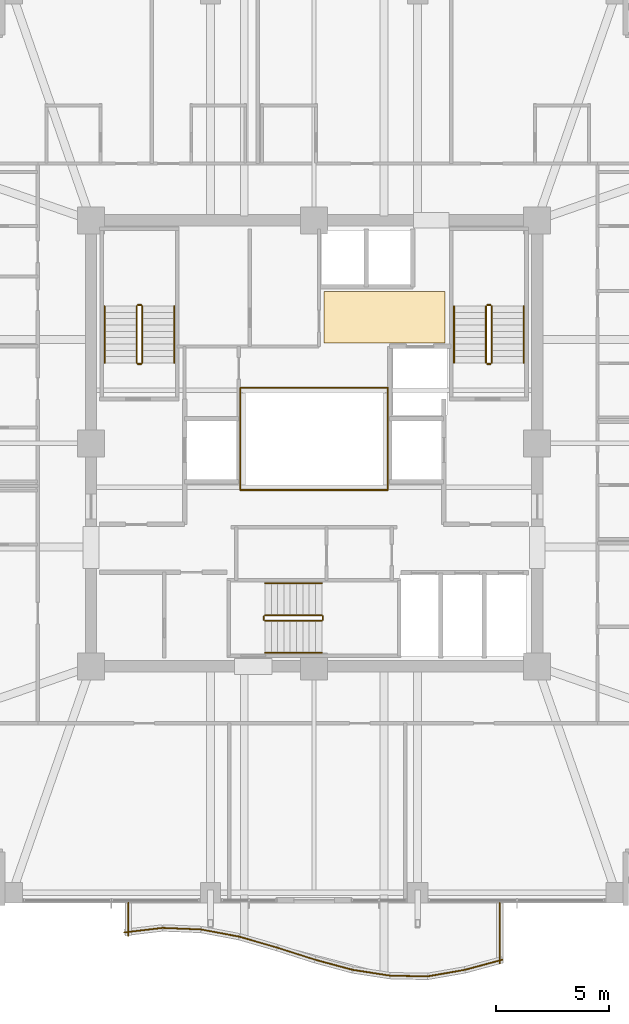
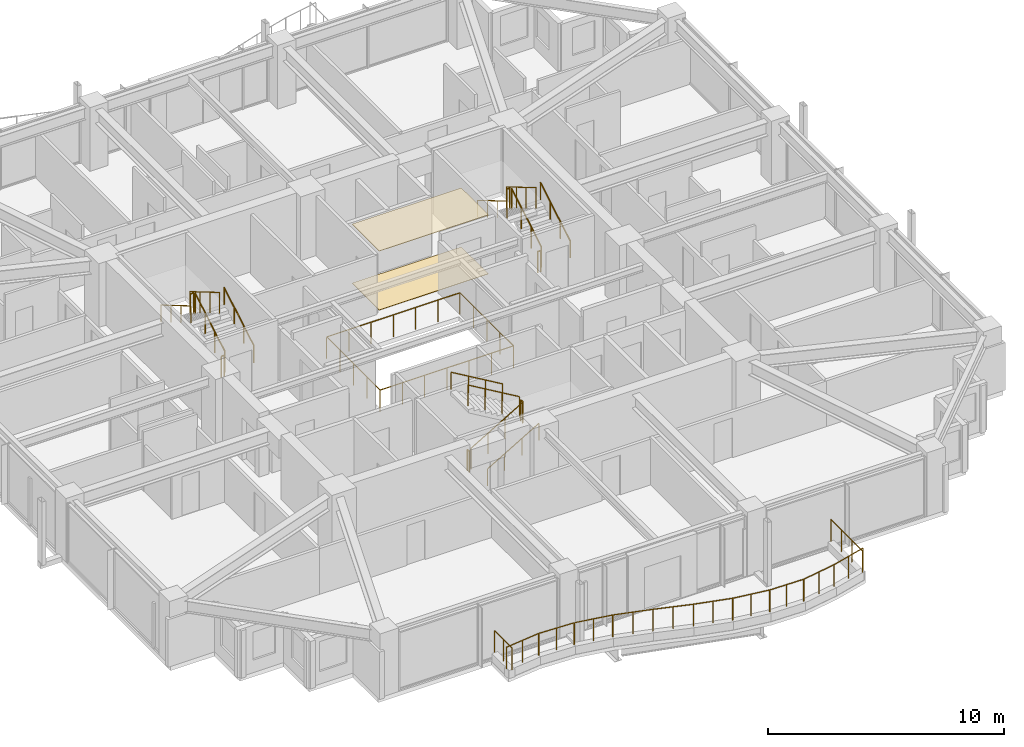
# One storey, part 36 of 37: 34 railings, 2 coverings.
"""IFC4 building model written with IfcOpenShell, lengths in metres."""

from ifc_helpers import new_model, si_unit, direction, frame, origin, origin_2d, place, context, subcontext, project, spatial, polyline, circle, outline, extrude, material, layer, layer_set, type_object, element, save


model = new_model("IFC4")

# Units and contexts
model_context = context("Model", 3, precision=1e-05, world=origin(), true_north=direction((0.0, 1.0)))
body_context = subcontext(model_context, "Body", "Model", "MODEL_VIEW")
ifc_project = project(units=[si_unit("LENGTHUNIT", "METRE"), si_unit("AREAUNIT", "SQUARE_METRE"), si_unit("VOLUMEUNIT", "CUBIC_METRE"), si_unit("PLANEANGLEUNIT", "RADIAN"), si_unit("MASSUNIT", "GRAM", prefix="KILO")], contexts=[model_context])

# Site, building, storey
site_placement = place(None, origin())
site = spatial("IfcSite", under=ifc_project, at=site_placement, CompositionType="ELEMENT")
building_placement = place(site_placement, origin())
building = spatial("IfcBuilding", under=site, at=building_placement, Name="Kolvaren Belvedere", CompositionType="ELEMENT")
storey_placement = place(building_placement, frame((0.0, 0.0, 180.0)))
storey = spatial("IfcBuildingStorey", under=building, at=storey_placement, Name="L52", CompositionType="ELEMENT", Elevation=180.0)

# Coverings
ifc_material_1 = material(Name="Acoustic perforated gypsum board", Category="gypsum")
ifc_layer_1 = layer(ifc_material_1, 0.02490234375)
ifc_layer_set_1 = layer_set([ifc_layer_1], Name="Acoustic perforated gypsum board")
covering_type_1 = type_object("IfcCoveringType", Name="COV-CEIL-GYP", PredefinedType="CEILING", material=ifc_layer_set_1)
covering_1_placement = place(storey_placement, frame((0.0, 0.0, 3.054931640625)))
element("IfcCovering", 1, at=covering_1_placement, inside=storey, type_object=covering_type_1, Name="L52 Lift Lobby Acoustic Baffle Ceiling", PredefinedType="CEILING", context=body_context, shape_type="SweptSolid", body=[
    extrude(outline(polyline([(0.449951171875, 4.449951171875), (5.800048828125, 4.449951171875), (5.800048828125, 6.75), (0.449951171875, 6.75), (0.449951171875, 4.449951171875)])), origin(), (0.0, 0.0, 1.0), 0.025146484375),
])
ifc_material_2 = material(Name="Engineered Pacific white oak", Category="timber")
ifc_layer_2 = layer(ifc_material_2, 0.02001953125)
ifc_layer_set_2 = layer_set([ifc_layer_2], Name="Engineered Pacific white oak")
covering_type_2 = type_object("IfcCoveringType", Name="COV-FLR-OAK", PredefinedType="FLOORING", material=ifc_layer_set_2)
covering_2_placement = place(storey_placement, origin())
element("IfcCovering", 2, at=covering_2_placement, inside=storey, type_object=covering_type_2, Name="L52 Lift Lobby Finish Flooring", PredefinedType="FLOORING", context=body_context, shape_type="SweptSolid", body=[
    extrude(outline(polyline([(0.449951171875, 4.449951171875), (5.800048828125, 4.449951171875), (5.800048828125, 6.75), (0.449951171875, 6.75), (0.449951171875, 4.449951171875)])), origin(), (0.0, 0.0, 1.0), 0.02001953125),
])

# Railings
ifc_material_3 = material(Name="Laminated glass & stainless-steel cap rail", Category="steel")
railing_type_1 = type_object("IfcRailingType", Name="RL-ATR-1150", PredefinedType="BALUSTRADE", material=ifc_material_3)
for number, where, name in (
    (3, (-3.27001953125, 2.469970703125, 0.0), "L52 Atrium North Glass Balustrade"),
    (4, (-3.27001953125, -2.070068359375, 0.0), "L52 Atrium South Glass Balustrade"),
):
    element("IfcRailing", number, at=place(storey_placement, frame(where)), inside=storey, type_object=railing_type_1, Name=name, PredefinedType="BALUSTRADE", context=body_context, shape_type="SweptSolid", body=[
        extrude(circle(Radius=0.02392578125, at=origin_2d()), frame((0.0, 0.0, 1.1259765625), z_axis=(1.0, 0.0, 0.0), x_axis=(0.0, 1.0, 0.0)), (0.0, 0.0, 1.0), 6.5400390625),
        extrude(circle(Radius=0.02099609375, at=origin_2d()), origin(), (0.0, 0.0, 1.0), 1.101806640625),
        extrude(circle(Radius=0.02099609375, at=origin_2d()), frame((1.090087890625, 0.0, 0.0)), (0.0, 0.0, 1.0), 1.101806640625),
        extrude(circle(Radius=0.02099609375, at=origin_2d()), frame((2.179931640625, 0.0, 0.0)), (0.0, 0.0, 1.0), 1.101806640625),
        extrude(circle(Radius=0.02099609375, at=origin_2d()), frame((3.27001953125, 0.0, 0.0)), (0.0, 0.0, 1.0), 1.101806640625),
        extrude(circle(Radius=0.02099609375, at=origin_2d()), frame((4.360107421875, 0.0, 0.0)), (0.0, 0.0, 1.0), 1.101806640625),
        extrude(circle(Radius=0.02099609375, at=origin_2d()), frame((5.449951171875, 0.0, 0.0)), (0.0, 0.0, 1.0), 1.101806640625),
        extrude(circle(Radius=0.02099609375, at=origin_2d()), frame((6.5400390625, 0.0, 0.0)), (0.0, 0.0, 1.0), 1.101806640625),
    ])
for number, where, name in (
    (5, (-3.27001953125, -2.070068359375, 0.0), "L52 Atrium West Glass Balustrade"),
    (6, (3.27001953125, -2.070068359375, 0.0), "L52 Atrium East Glass Balustrade"),
):
    element("IfcRailing", number, at=place(storey_placement, frame(where)), inside=storey, type_object=railing_type_1, Name=name, PredefinedType="BALUSTRADE", context=body_context, shape_type="SweptSolid", body=[
        extrude(circle(Radius=0.02392578125, at=origin_2d()), frame((0.0, 0.0, 1.1259765625), z_axis=(0.0, 1.0, 0.0), x_axis=(-1.0, 0.0, 0.0)), (0.0, 0.0, 1.0), 4.5400390625),
        extrude(circle(Radius=0.02099609375, at=origin_2d()), origin(), (0.0, 0.0, 1.0), 1.101806640625),
        extrude(circle(Radius=0.02099609375, at=origin_2d()), frame((0.0, 1.135009765625, 0.0)), (0.0, 0.0, 1.0), 1.101806640625),
        extrude(circle(Radius=0.02099609375, at=origin_2d()), frame((0.0, 2.27001953125, 0.0)), (0.0, 0.0, 1.0), 1.101806640625),
        extrude(circle(Radius=0.02099609375, at=origin_2d()), frame((0.0, 3.405029296875, 0.0)), (0.0, 0.0, 1.0), 1.101806640625),
        extrude(circle(Radius=0.02099609375, at=origin_2d()), frame((0.0, 4.5400390625, 0.0)), (0.0, 0.0, 1.0), 1.101806640625),
    ])
ifc_material_4 = material(Name="Anodised pale-metal aluminium & laminated glass guard", Category="aluminium")
railing_type_2 = type_object("IfcRailingType", Name="RL-GUARD-1150", PredefinedType="GUARDRAIL", material=ifc_material_4)
railing_1_placement = place(storey_placement, frame((-8.418701171875, -21.70751953125, 0.3798828125)))
element("IfcRailing", 7, at=railing_1_placement, inside=storey, type_object=railing_type_2, Name="L52 Exterior Deck Safety Guard BAL-S-1", PredefinedType="GUARDRAIL", context=body_context, shape_type="SweptSolid", body=[
    extrude(circle(Radius=0.02392578125, at=origin_2d()), frame((0.0, 0.0, 1.1259765625), z_axis=(0.993125952783, 0.11705059551, 0.0), x_axis=(-0.11705059551, 0.993125952783, 0.0)), (0.0, 0.0, 1.0), 1.691650390625),
    extrude(circle(Radius=0.02099609375, at=origin_2d()), origin(), (0.0, 0.0, 1.0), 1.101806640625),
    extrude(circle(Radius=0.02099609375, at=origin_2d()), frame((0.83984375, 0.09912109375, 0.0)), (0.0, 0.0, 1.0), 1.101806640625),
    extrude(circle(Radius=0.02099609375, at=origin_2d()), frame((1.679931640625, 0.197998046875, 0.0)), (0.0, 0.0, 1.0), 1.101806640625),
])
railing_2_placement = place(storey_placement, frame((-6.713623046875, -21.508544921875, 0.3798828125)))
element("IfcRailing", 8, at=railing_2_placement, inside=storey, type_object=railing_type_2, Name="L52 Exterior Deck Safety Guard BAL-S-2", PredefinedType="GUARDRAIL", context=body_context, shape_type="SweptSolid", body=[
    extrude(circle(Radius=0.02392578125, at=origin_2d()), frame((0.0, 0.0, 1.1259765625), z_axis=(0.999196545286, -0.040078222133, 0.0), x_axis=(0.040078222133, 0.999196545286, 0.0)), (0.0, 0.0, 1.0), 1.681396484375),
    extrude(circle(Radius=0.02099609375, at=origin_2d()), origin(), (0.0, 0.0, 1.0), 1.101806640625),
    extrude(circle(Radius=0.02099609375, at=origin_2d()), frame((0.83984375, -0.03369140625, 0.0)), (0.0, 0.0, 1.0), 1.101806640625),
    extrude(circle(Radius=0.02099609375, at=origin_2d()), frame((1.679931640625, -0.0673828125, 0.0)), (0.0, 0.0, 1.0), 1.101806640625),
])
railing_3_placement = place(storey_placement, frame((-5.010498046875, -21.57861328125, 0.3798828125)))
element("IfcRailing", 9, at=railing_3_placement, inside=storey, type_object=railing_type_2, Name="L52 Exterior Deck Safety Guard BAL-S-3", PredefinedType="GUARDRAIL", context=body_context, shape_type="SweptSolid", body=[
    extrude(circle(Radius=0.02392578125, at=origin_2d()), frame((0.0, 0.0, 1.1259765625), z_axis=(0.982804219087, -0.184650661912, 0.0), x_axis=(0.184650661912, 0.982804219087, 0.0)), (0.0, 0.0, 1.0), 1.70947265625),
    extrude(circle(Radius=0.02099609375, at=origin_2d()), origin(), (0.0, 0.0, 1.0), 1.101806640625),
    extrude(circle(Radius=0.02099609375, at=origin_2d()), frame((0.840087890625, -0.15771484375, 0.0)), (0.0, 0.0, 1.0), 1.101806640625),
    extrude(circle(Radius=0.02099609375, at=origin_2d()), frame((1.68017578125, -0.315673828125, 0.0)), (0.0, 0.0, 1.0), 1.101806640625),
])
railing_4_placement = place(storey_placement, frame((-3.3154296875, -21.89794921875, 0.3798828125)))
element("IfcRailing", 10, at=railing_4_placement, inside=storey, type_object=railing_type_2, Name="L52 Exterior Deck Safety Guard BAL-S-4", PredefinedType="GUARDRAIL", context=body_context, shape_type="SweptSolid", body=[
    extrude(circle(Radius=0.02392578125, at=origin_2d()), frame((0.0, 0.0, 1.1259765625), z_axis=(0.960633903819, -0.277817391164, 0.0), x_axis=(0.277817391164, 0.960633903819, 0.0)), (0.0, 0.0, 1.0), 1.748779296875),
    extrude(circle(Radius=0.02099609375, at=origin_2d()), origin(), (0.0, 0.0, 1.0), 1.101806640625),
    extrude(circle(Radius=0.02099609375, at=origin_2d()), frame((0.83984375, -0.242919921875, 0.0)), (0.0, 0.0, 1.0), 1.101806640625),
    extrude(circle(Radius=0.02099609375, at=origin_2d()), frame((1.679931640625, -0.48583984375, 0.0)), (0.0, 0.0, 1.0), 1.101806640625),
])
railing_5_placement = place(storey_placement, frame((-1.63134765625, -22.38525390625, 0.3798828125)))
element("IfcRailing", 11, at=railing_5_placement, inside=storey, type_object=railing_type_2, Name="L52 Exterior Deck Safety Guard BAL-S-5", PredefinedType="GUARDRAIL", context=body_context, shape_type="SweptSolid", body=[
    extrude(circle(Radius=0.02392578125, at=origin_2d()), frame((0.0, 0.0, 1.1259765625), z_axis=(0.952661770826, -0.304032153573, 0.0), x_axis=(0.304032153573, 0.952661770826, 0.0)), (0.0, 0.0, 1.0), 1.763427734375),
    extrude(circle(Radius=0.02099609375, at=origin_2d()), origin(), (0.0, 0.0, 1.0), 1.101806640625),
    extrude(circle(Radius=0.02099609375, at=origin_2d()), frame((0.83984375, -0.26806640625, 0.0)), (0.0, 0.0, 1.0), 1.101806640625),
    extrude(circle(Radius=0.02099609375, at=origin_2d()), frame((1.679931640625, -0.5361328125, 0.0)), (0.0, 0.0, 1.0), 1.101806640625),
])
railing_6_placement = place(storey_placement, frame((0.041748046875, -22.919189453125, 0.3798828125)))
element("IfcRailing", 12, at=railing_6_placement, inside=storey, type_object=railing_type_2, Name="L52 Exterior Deck Safety Guard BAL-S-6", PredefinedType="GUARDRAIL", context=body_context, shape_type="SweptSolid", body=[
    extrude(circle(Radius=0.02392578125, at=origin_2d()), frame((0.0, 0.0, 1.1259765625), z_axis=(0.965424492388, -0.260682852326, 0.0), x_axis=(0.260682852326, 0.965424492388, 0.0)), (0.0, 0.0, 1.0), 1.739990234375),
    extrude(circle(Radius=0.02099609375, at=origin_2d()), origin(), (0.0, 0.0, 1.0), 1.101806640625),
    extrude(circle(Radius=0.02099609375, at=origin_2d()), frame((0.83984375, -0.226806640625, 0.0)), (0.0, 0.0, 1.0), 1.101806640625),
    extrude(circle(Radius=0.02099609375, at=origin_2d()), frame((1.679931640625, -0.45361328125, 0.0)), (0.0, 0.0, 1.0), 1.101806640625),
])
railing_7_placement = place(storey_placement, frame((1.704345703125, -23.369140625, 0.3798828125)))
element("IfcRailing", 13, at=railing_7_placement, inside=storey, type_object=railing_type_2, Name="L52 Exterior Deck Safety Guard BAL-S-7", PredefinedType="GUARDRAIL", context=body_context, shape_type="SweptSolid", body=[
    extrude(circle(Radius=0.02392578125, at=origin_2d()), frame((0.0, 0.0, 1.1259765625), z_axis=(0.988345118302, -0.152229849666, 0.0), x_axis=(0.152229849666, 0.988345118302, 0.0)), (0.0, 0.0, 1.0), 1.699951171875),
    extrude(circle(Radius=0.02099609375, at=origin_2d()), origin(), (0.0, 0.0, 1.0), 1.101806640625),
    extrude(circle(Radius=0.02099609375, at=origin_2d()), frame((0.840087890625, -0.12939453125, 0.0)), (0.0, 0.0, 1.0), 1.101806640625),
    extrude(circle(Radius=0.02099609375, at=origin_2d()), frame((1.68017578125, -0.2587890625, 0.0)), (0.0, 0.0, 1.0), 1.101806640625),
])
railing_8_placement = place(storey_placement, frame((3.36328125, -23.626220703125, 0.3798828125)))
element("IfcRailing", 14, at=railing_8_placement, inside=storey, type_object=railing_type_2, Name="L52 Exterior Deck Safety Guard BAL-S-8", PredefinedType="GUARDRAIL", context=body_context, shape_type="SweptSolid", body=[
    extrude(circle(Radius=0.02392578125, at=origin_2d()), frame((0.0, 0.0, 1.1259765625), z_axis=(0.99979895463, -0.020051192521, 0.0), x_axis=(0.020051192521, 0.99979895463, 0.0)), (0.0, 0.0, 1.0), 1.68017578125),
    extrude(circle(Radius=0.02099609375, at=origin_2d()), origin(), (0.0, 0.0, 1.0), 1.101806640625),
    extrude(circle(Radius=0.02099609375, at=origin_2d()), frame((0.83984375, -0.016845703125, 0.0)), (0.0, 0.0, 1.0), 1.101806640625),
    extrude(circle(Radius=0.02099609375, at=origin_2d()), frame((1.679931640625, -0.03369140625, 0.0)), (0.0, 0.0, 1.0), 1.101806640625),
])
railing_9_placement = place(storey_placement, frame((5.012451171875, -23.662353515625, 0.3798828125)))
element("IfcRailing", 15, at=railing_9_placement, inside=storey, type_object=railing_type_2, Name="L52 Exterior Deck Safety Guard BAL-S-9", PredefinedType="GUARDRAIL", context=body_context, shape_type="SweptSolid", body=[
    extrude(circle(Radius=0.02392578125, at=origin_2d()), frame((0.0, 0.0, 1.1259765625), z_axis=(0.985156010777, 0.171661394699, 0.0), x_axis=(-0.171661394699, 0.985156010777, 0.0)), (0.0, 0.0, 1.0), 1.705322265625),
    extrude(circle(Radius=0.02099609375, at=origin_2d()), origin(), (0.0, 0.0, 1.0), 1.101806640625),
    extrude(circle(Radius=0.02099609375, at=origin_2d()), frame((0.83984375, 0.146484375, 0.0)), (0.0, 0.0, 1.0), 1.101806640625),
    extrude(circle(Radius=0.02099609375, at=origin_2d()), frame((1.679931640625, 0.292724609375, 0.0)), (0.0, 0.0, 1.0), 1.101806640625),
])
railing_10_placement = place(storey_placement, frame((6.67822265625, -23.372802734375, 0.3798828125)))
element("IfcRailing", 16, at=railing_10_placement, inside=storey, type_object=railing_type_2, Name="L52 Exterior Deck Safety Guard BAL-S-10", PredefinedType="GUARDRAIL", context=body_context, shape_type="SweptSolid", body=[
    extrude(circle(Radius=0.02392578125, at=origin_2d()), frame((0.0, 0.0, 1.1259765625), z_axis=(0.965434024814, 0.260647546949, 0.0), x_axis=(-0.260647546949, 0.965434024814, 0.0)), (0.0, 0.0, 1.0), 1.740234375),
    extrude(circle(Radius=0.02099609375, at=origin_2d()), origin(), (0.0, 0.0, 1.0), 1.101806640625),
    extrude(circle(Radius=0.02099609375, at=origin_2d()), frame((0.840087890625, 0.226806640625, 0.0)), (0.0, 0.0, 1.0), 1.101806640625),
    extrude(circle(Radius=0.02099609375, at=origin_2d()), frame((1.68017578125, 0.45361328125, 0.0)), (0.0, 0.0, 1.0), 1.101806640625),
])
railing_11_placement = place(storey_placement, frame((8.239990234375, -23.07373046875, 0.3798828125)))
element("IfcRailing", 17, at=railing_11_placement, inside=storey, type_object=railing_type_2, Name="L52 Exterior Deck Safety Guard BAL-S-11", PredefinedType="GUARDRAIL", context=body_context, shape_type="SweptSolid", body=[
    extrude(circle(Radius=0.02392578125, at=origin_2d()), frame((0.0, 0.0, 1.1259765625), z_axis=(0.0, 1.0, 0.0), x_axis=(-1.0, 0.0, 0.0)), (0.0, 0.0, 1.0), 2.673828125),
    extrude(circle(Radius=0.02099609375, at=origin_2d()), origin(), (0.0, 0.0, 1.0), 1.101806640625),
    extrude(circle(Radius=0.02099609375, at=origin_2d()), frame((0.0, 0.891357421875, 0.0)), (0.0, 0.0, 1.0), 1.101806640625),
    extrude(circle(Radius=0.02099609375, at=origin_2d()), frame((0.0, 1.782470703125, 0.0)), (0.0, 0.0, 1.0), 1.101806640625),
    extrude(circle(Radius=0.02099609375, at=origin_2d()), frame((0.0, 2.673828125, 0.0)), (0.0, 0.0, 1.0), 1.101806640625),
])
railing_12_placement = place(storey_placement, frame((-8.239990234375, -20.39990234375, 0.3798828125)))
element("IfcRailing", 18, at=railing_12_placement, inside=storey, type_object=railing_type_2, Name="L52 Exterior Deck Safety Guard BAL-S-22", PredefinedType="GUARDRAIL", context=body_context, shape_type="SweptSolid", body=[
    extrude(circle(Radius=0.02392578125, at=origin_2d()), frame((0.0, 0.0, 1.1259765625), z_axis=(0.0, -1.0, 0.0), x_axis=(1.0, 0.0, 0.0)), (0.0, 0.0, 1.0), 1.46630859375),
    extrude(circle(Radius=0.02099609375, at=origin_2d()), origin(), (0.0, 0.0, 1.0), 1.101806640625),
    extrude(circle(Radius=0.02099609375, at=origin_2d()), frame((0.0, -0.733154296875, 0.0)), (0.0, 0.0, 1.0), 1.101806640625),
    extrude(circle(Radius=0.02099609375, at=origin_2d()), frame((0.0, -1.46630859375, 0.0)), (0.0, 0.0, 1.0), 1.101806640625),
])
ifc_material_5 = material(Name="Brushed stainless-steel handrail", Category="steel")
railing_type_3 = type_object("IfcRailingType", Name="RL-HANDRAIL-920", PredefinedType="HANDRAIL", material=ifc_material_5)
railing_13_placement = place(storey_placement, frame((-6.2099609375, 3.570068359375, 0.1650390625)))
element("IfcRailing", 19, at=railing_13_placement, inside=storey, type_object=railing_type_3, Name="L52 ST-1 stair handrail 1", PredefinedType="HANDRAIL", context=body_context, shape_type="SweptSolid", body=[
    extrude(circle(Radius=0.02392578125, at=origin_2d()), frame((0.0, 0.0, 0.8759765625), z_axis=(0.0, 0.861560626758, 0.507654692109), x_axis=(-1.0, 0.0, 0.0)), (0.0, 0.0, 1.0), 2.925048828125),
    extrude(circle(Radius=0.02099609375, at=origin_2d()), origin(), (0.0, 0.0, 1.0), 0.851806640625),
    extrude(circle(Radius=0.02099609375, at=origin_2d()), frame((0.0, 0.840087890625, 0.494873046875)), (0.0, 0.0, 1.0), 0.851806640625),
    extrude(circle(Radius=0.02099609375, at=origin_2d()), frame((0.0, 1.679931640625, 0.989990234375)), (0.0, 0.0, 1.0), 0.851806640625),
    extrude(circle(Radius=0.02099609375, at=origin_2d()), frame((0.0, 2.52001953125, 1.48486328125)), (0.0, 0.0, 1.0), 0.851806640625),
])
railing_14_placement = place(storey_placement, frame((-9.300048828125, 6.090087890625, 1.81494140625)))
element("IfcRailing", 20, at=railing_14_placement, inside=storey, type_object=railing_type_3, Name="L52 ST-1 stair handrail 2", PredefinedType="HANDRAIL", context=body_context, shape_type="SweptSolid", body=[
    extrude(circle(Radius=0.02392578125, at=origin_2d()), frame((0.0, 0.0, 0.8759765625), z_axis=(0.0, -0.86152411907, 0.507716645641), x_axis=(1.0, 0.0, 0.0)), (0.0, 0.0, 1.0), 2.925048828125),
    extrude(circle(Radius=0.02099609375, at=origin_2d()), origin(), (0.0, 0.0, 1.0), 0.851806640625),
    extrude(circle(Radius=0.02099609375, at=origin_2d()), frame((0.0, -0.840087890625, 0.4951171875)), (0.0, 0.0, 1.0), 0.851806640625),
    extrude(circle(Radius=0.02099609375, at=origin_2d()), frame((0.0, -1.679931640625, 0.989990234375)), (0.0, 0.0, 1.0), 0.851806640625),
    extrude(circle(Radius=0.02099609375, at=origin_2d()), frame((0.0, -2.52001953125, 1.485107421875)), (0.0, 0.0, 1.0), 0.851806640625),
])
railing_15_placement = place(storey_placement, frame((9.300048828125, 3.570068359375, 0.1650390625)))
element("IfcRailing", 21, at=railing_15_placement, inside=storey, type_object=railing_type_3, Name="L52 ST-2 stair handrail 1", PredefinedType="HANDRAIL", context=body_context, shape_type="SweptSolid", body=[
    extrude(circle(Radius=0.02392578125, at=origin_2d()), frame((0.0, 0.0, 0.8759765625), z_axis=(0.0, 0.861560626758, 0.507654692109), x_axis=(-1.0, 0.0, 0.0)), (0.0, 0.0, 1.0), 2.925048828125),
    extrude(circle(Radius=0.02099609375, at=origin_2d()), origin(), (0.0, 0.0, 1.0), 0.851806640625),
    extrude(circle(Radius=0.02099609375, at=origin_2d()), frame((0.0, 0.840087890625, 0.494873046875)), (0.0, 0.0, 1.0), 0.851806640625),
    extrude(circle(Radius=0.02099609375, at=origin_2d()), frame((0.0, 1.679931640625, 0.989990234375)), (0.0, 0.0, 1.0), 0.851806640625),
    extrude(circle(Radius=0.02099609375, at=origin_2d()), frame((0.0, 2.52001953125, 1.48486328125)), (0.0, 0.0, 1.0), 0.851806640625),
])
railing_16_placement = place(storey_placement, frame((6.2099609375, 6.090087890625, 1.81494140625)))
element("IfcRailing", 22, at=railing_16_placement, inside=storey, type_object=railing_type_3, Name="L52 ST-2 stair handrail 2", PredefinedType="HANDRAIL", context=body_context, shape_type="SweptSolid", body=[
    extrude(circle(Radius=0.02392578125, at=origin_2d()), frame((0.0, 0.0, 0.8759765625), z_axis=(0.0, -0.86152411907, 0.507716645641), x_axis=(1.0, 0.0, 0.0)), (0.0, 0.0, 1.0), 2.925048828125),
    extrude(circle(Radius=0.02099609375, at=origin_2d()), origin(), (0.0, 0.0, 1.0), 0.851806640625),
    extrude(circle(Radius=0.02099609375, at=origin_2d()), frame((0.0, -0.840087890625, 0.4951171875)), (0.0, 0.0, 1.0), 0.851806640625),
    extrude(circle(Radius=0.02099609375, at=origin_2d()), frame((0.0, -1.679931640625, 0.989990234375)), (0.0, 0.0, 1.0), 0.851806640625),
    extrude(circle(Radius=0.02099609375, at=origin_2d()), frame((0.0, -2.52001953125, 1.485107421875)), (0.0, 0.0, 1.0), 0.851806640625),
])
railing_17_placement = place(storey_placement, frame((-2.179931640625, -9.300048828125, 0.1650390625)))
element("IfcRailing", 23, at=railing_17_placement, inside=storey, type_object=railing_type_3, Name="L52 ST-3 stair handrail 1", PredefinedType="HANDRAIL", context=body_context, shape_type="SweptSolid", body=[
    extrude(circle(Radius=0.02392578125, at=origin_2d()), frame((0.0, 0.0, 0.8759765625), z_axis=(0.861560626758, 0.0, 0.507654692109), x_axis=(0.0, 1.0, 0.0)), (0.0, 0.0, 1.0), 2.925048828125),
    extrude(circle(Radius=0.02099609375, at=origin_2d()), origin(), (0.0, 0.0, 1.0), 0.851806640625),
    extrude(circle(Radius=0.02099609375, at=origin_2d()), frame((0.840087890625, 0.0, 0.494873046875)), (0.0, 0.0, 1.0), 0.851806640625),
    extrude(circle(Radius=0.02099609375, at=origin_2d()), frame((1.679931640625, 0.0, 0.989990234375)), (0.0, 0.0, 1.0), 0.851806640625),
    extrude(circle(Radius=0.02099609375, at=origin_2d()), frame((2.52001953125, 0.0, 1.48486328125)), (0.0, 0.0, 1.0), 0.851806640625),
])
railing_18_placement = place(storey_placement, frame((0.340087890625, -6.2099609375, 1.81494140625)))
element("IfcRailing", 24, at=railing_18_placement, inside=storey, type_object=railing_type_3, Name="L52 ST-3 stair handrail 2", PredefinedType="HANDRAIL", context=body_context, shape_type="SweptSolid", body=[
    extrude(circle(Radius=0.02392578125, at=origin_2d()), frame((0.0, 0.0, 0.8759765625), z_axis=(-0.86152411907, 0.0, 0.507716645641), x_axis=(0.0, -1.0, 0.0)), (0.0, 0.0, 1.0), 2.925048828125),
    extrude(circle(Radius=0.02099609375, at=origin_2d()), origin(), (0.0, 0.0, 1.0), 0.851806640625),
    extrude(circle(Radius=0.02099609375, at=origin_2d()), frame((-0.840087890625, 0.0, 0.4951171875)), (0.0, 0.0, 1.0), 0.851806640625),
    extrude(circle(Radius=0.02099609375, at=origin_2d()), frame((-1.679931640625, 0.0, 0.989990234375)), (0.0, 0.0, 1.0), 0.851806640625),
    extrude(circle(Radius=0.02099609375, at=origin_2d()), frame((-2.52001953125, 0.0, 1.485107421875)), (0.0, 0.0, 1.0), 0.851806640625),
])
ifc_material_6 = material(Name="Painted tubular steel stair guard", Category="steel")
railing_type_4 = type_object("IfcRailingType", Name="RL-STGUARD-1100", PredefinedType="GUARDRAIL", material=ifc_material_6)
railing_19_placement = place(storey_placement, frame((-7.6298828125, 3.570068359375, 0.1650390625)))
element("IfcRailing", 25, at=railing_19_placement, inside=storey, type_object=railing_type_4, Name="L52 ST-1 stair guard 1", PredefinedType="GUARDRAIL", context=body_context, shape_type="SweptSolid", body=[
    extrude(circle(Radius=0.02392578125, at=origin_2d()), frame((0.0, 0.0, 1.076171875), z_axis=(0.0, 0.861560626758, 0.507654692109), x_axis=(-1.0, 0.0, 0.0)), (0.0, 0.0, 1.0), 2.925048828125),
    extrude(circle(Radius=0.02099609375, at=origin_2d()), origin(), (0.0, 0.0, 1.0), 1.052001953125),
    extrude(circle(Radius=0.02099609375, at=origin_2d()), frame((0.0, 0.840087890625, 0.494873046875)), (0.0, 0.0, 1.0), 1.052001953125),
    extrude(circle(Radius=0.02099609375, at=origin_2d()), frame((0.0, 1.679931640625, 0.989990234375)), (0.0, 0.0, 1.0), 1.052001953125),
    extrude(circle(Radius=0.02099609375, at=origin_2d()), frame((0.0, 2.52001953125, 1.48486328125)), (0.0, 0.0, 1.0), 1.052001953125),
])
railing_20_placement = place(storey_placement, frame((-7.679931640625, 6.139892578125, 1.64990234375)))
element("IfcRailing", 26, at=railing_20_placement, inside=storey, type_object=railing_type_4, Name="L52 ST-1 stair guard 2", PredefinedType="GUARDRAIL", context=body_context, shape_type="SweptSolid", body=[
    extrude(circle(Radius=0.02392578125, at=origin_2d()), frame((0.0, 0.0, 1.076171875), z_axis=(-1.0, 0.0, 0.0), x_axis=(0.0, -1.0, 0.0)), (0.0, 0.0, 1.0), 0.150146484375),
    extrude(circle(Radius=0.02099609375, at=origin_2d()), origin(), (0.0, 0.0, 1.0), 1.052001953125),
    extrude(circle(Radius=0.02099609375, at=origin_2d()), frame((-0.150146484375, 0.0, 0.0)), (0.0, 0.0, 1.0), 1.052001953125),
])
railing_21_placement = place(storey_placement, frame((-7.8798828125, 6.090087890625, 1.81494140625)))
element("IfcRailing", 27, at=railing_21_placement, inside=storey, type_object=railing_type_4, Name="L52 ST-1 stair guard 3", PredefinedType="GUARDRAIL", context=body_context, shape_type="SweptSolid", body=[
    extrude(circle(Radius=0.02392578125, at=origin_2d()), frame((0.0, 0.0, 1.076171875), z_axis=(0.0, -0.86152411907, 0.507716645641), x_axis=(1.0, 0.0, 0.0)), (0.0, 0.0, 1.0), 2.925048828125),
    extrude(circle(Radius=0.02099609375, at=origin_2d()), origin(), (0.0, 0.0, 1.0), 1.052001953125),
    extrude(circle(Radius=0.02099609375, at=origin_2d()), frame((0.0, -0.840087890625, 0.4951171875)), (0.0, 0.0, 1.0), 1.052001953125),
    extrude(circle(Radius=0.02099609375, at=origin_2d()), frame((0.0, -1.679931640625, 0.989990234375)), (0.0, 0.0, 1.0), 1.052001953125),
    extrude(circle(Radius=0.02099609375, at=origin_2d()), frame((0.0, -2.52001953125, 1.485107421875)), (0.0, 0.0, 1.0), 1.052001953125),
])
railing_22_placement = place(storey_placement, frame((-7.679931640625, 3.52001953125, 0.0)))
element("IfcRailing", 28, at=railing_22_placement, inside=storey, type_object=railing_type_4, Name="L52 ST-1 stair guard 4", PredefinedType="GUARDRAIL", context=body_context, shape_type="SweptSolid", body=[
    extrude(circle(Radius=0.02392578125, at=origin_2d()), frame((0.0, 0.0, 1.076171875), z_axis=(-1.0, 0.0, 0.0), x_axis=(0.0, -1.0, 0.0)), (0.0, 0.0, 1.0), 0.150146484375),
    extrude(circle(Radius=0.02099609375, at=origin_2d()), origin(), (0.0, 0.0, 1.0), 1.052001953125),
    extrude(circle(Radius=0.02099609375, at=origin_2d()), frame((-0.150146484375, 0.0, 0.0)), (0.0, 0.0, 1.0), 1.052001953125),
])
railing_23_placement = place(storey_placement, frame((7.8798828125, 3.570068359375, 0.1650390625)))
element("IfcRailing", 29, at=railing_23_placement, inside=storey, type_object=railing_type_4, Name="L52 ST-2 stair guard 1", PredefinedType="GUARDRAIL", context=body_context, shape_type="SweptSolid", body=[
    extrude(circle(Radius=0.02392578125, at=origin_2d()), frame((0.0, 0.0, 1.076171875), z_axis=(0.0, 0.861560626758, 0.507654692109), x_axis=(-1.0, 0.0, 0.0)), (0.0, 0.0, 1.0), 2.925048828125),
    extrude(circle(Radius=0.02099609375, at=origin_2d()), origin(), (0.0, 0.0, 1.0), 1.052001953125),
    extrude(circle(Radius=0.02099609375, at=origin_2d()), frame((0.0, 0.840087890625, 0.494873046875)), (0.0, 0.0, 1.0), 1.052001953125),
    extrude(circle(Radius=0.02099609375, at=origin_2d()), frame((0.0, 1.679931640625, 0.989990234375)), (0.0, 0.0, 1.0), 1.052001953125),
    extrude(circle(Radius=0.02099609375, at=origin_2d()), frame((0.0, 2.52001953125, 1.48486328125)), (0.0, 0.0, 1.0), 1.052001953125),
])
railing_24_placement = place(storey_placement, frame((7.830078125, 6.139892578125, 1.64990234375)))
element("IfcRailing", 30, at=railing_24_placement, inside=storey, type_object=railing_type_4, Name="L52 ST-2 stair guard 2", PredefinedType="GUARDRAIL", context=body_context, shape_type="SweptSolid", body=[
    extrude(circle(Radius=0.02392578125, at=origin_2d()), frame((0.0, 0.0, 1.076171875), z_axis=(-1.0, 0.0, 0.0), x_axis=(0.0, -1.0, 0.0)), (0.0, 0.0, 1.0), 0.150146484375),
    extrude(circle(Radius=0.02099609375, at=origin_2d()), origin(), (0.0, 0.0, 1.0), 1.052001953125),
    extrude(circle(Radius=0.02099609375, at=origin_2d()), frame((-0.150146484375, 0.0, 0.0)), (0.0, 0.0, 1.0), 1.052001953125),
])
railing_25_placement = place(storey_placement, frame((7.6298828125, 6.090087890625, 1.81494140625)))
element("IfcRailing", 31, at=railing_25_placement, inside=storey, type_object=railing_type_4, Name="L52 ST-2 stair guard 3", PredefinedType="GUARDRAIL", context=body_context, shape_type="SweptSolid", body=[
    extrude(circle(Radius=0.02392578125, at=origin_2d()), frame((0.0, 0.0, 1.076171875), z_axis=(0.0, -0.86152411907, 0.507716645641), x_axis=(1.0, 0.0, 0.0)), (0.0, 0.0, 1.0), 2.925048828125),
    extrude(circle(Radius=0.02099609375, at=origin_2d()), origin(), (0.0, 0.0, 1.0), 1.052001953125),
    extrude(circle(Radius=0.02099609375, at=origin_2d()), frame((0.0, -0.840087890625, 0.4951171875)), (0.0, 0.0, 1.0), 1.052001953125),
    extrude(circle(Radius=0.02099609375, at=origin_2d()), frame((0.0, -1.679931640625, 0.989990234375)), (0.0, 0.0, 1.0), 1.052001953125),
    extrude(circle(Radius=0.02099609375, at=origin_2d()), frame((0.0, -2.52001953125, 1.485107421875)), (0.0, 0.0, 1.0), 1.052001953125),
])
railing_26_placement = place(storey_placement, frame((7.830078125, 3.52001953125, 0.0)))
element("IfcRailing", 32, at=railing_26_placement, inside=storey, type_object=railing_type_4, Name="L52 ST-2 stair guard 4", PredefinedType="GUARDRAIL", context=body_context, shape_type="SweptSolid", body=[
    extrude(circle(Radius=0.02392578125, at=origin_2d()), frame((0.0, 0.0, 1.076171875), z_axis=(-1.0, 0.0, 0.0), x_axis=(0.0, -1.0, 0.0)), (0.0, 0.0, 1.0), 0.150146484375),
    extrude(circle(Radius=0.02099609375, at=origin_2d()), origin(), (0.0, 0.0, 1.0), 1.052001953125),
    extrude(circle(Radius=0.02099609375, at=origin_2d()), frame((-0.150146484375, 0.0, 0.0)), (0.0, 0.0, 1.0), 1.052001953125),
])
railing_27_placement = place(storey_placement, frame((-2.179931640625, -7.8798828125, 0.1650390625)))
element("IfcRailing", 33, at=railing_27_placement, inside=storey, type_object=railing_type_4, Name="L52 ST-3 stair guard 1", PredefinedType="GUARDRAIL", context=body_context, shape_type="SweptSolid", body=[
    extrude(circle(Radius=0.02392578125, at=origin_2d()), frame((0.0, 0.0, 1.076171875), z_axis=(0.861560626758, 0.0, 0.507654692109), x_axis=(0.0, 1.0, 0.0)), (0.0, 0.0, 1.0), 2.925048828125),
    extrude(circle(Radius=0.02099609375, at=origin_2d()), origin(), (0.0, 0.0, 1.0), 1.052001953125),
    extrude(circle(Radius=0.02099609375, at=origin_2d()), frame((0.840087890625, 0.0, 0.494873046875)), (0.0, 0.0, 1.0), 1.052001953125),
    extrude(circle(Radius=0.02099609375, at=origin_2d()), frame((1.679931640625, 0.0, 0.989990234375)), (0.0, 0.0, 1.0), 1.052001953125),
    extrude(circle(Radius=0.02099609375, at=origin_2d()), frame((2.52001953125, 0.0, 1.48486328125)), (0.0, 0.0, 1.0), 1.052001953125),
])
railing_28_placement = place(storey_placement, frame((0.389892578125, -7.830078125, 1.64990234375)))
element("IfcRailing", 34, at=railing_28_placement, inside=storey, type_object=railing_type_4, Name="L52 ST-3 stair guard 2", PredefinedType="GUARDRAIL", context=body_context, shape_type="SweptSolid", body=[
    extrude(circle(Radius=0.02392578125, at=origin_2d()), frame((0.0, 0.0, 1.076171875), z_axis=(0.0, 1.0, 0.0), x_axis=(-1.0, 0.0, 0.0)), (0.0, 0.0, 1.0), 0.150146484375),
    extrude(circle(Radius=0.02099609375, at=origin_2d()), origin(), (0.0, 0.0, 1.0), 1.052001953125),
    extrude(circle(Radius=0.02099609375, at=origin_2d()), frame((0.0, 0.150146484375, 0.0)), (0.0, 0.0, 1.0), 1.052001953125),
])
railing_29_placement = place(storey_placement, frame((0.340087890625, -7.6298828125, 1.81494140625)))
element("IfcRailing", 35, at=railing_29_placement, inside=storey, type_object=railing_type_4, Name="L52 ST-3 stair guard 3", PredefinedType="GUARDRAIL", context=body_context, shape_type="SweptSolid", body=[
    extrude(circle(Radius=0.02392578125, at=origin_2d()), frame((0.0, 0.0, 1.076171875), z_axis=(-0.86152411907, 0.0, 0.507716645641), x_axis=(0.0, -1.0, 0.0)), (0.0, 0.0, 1.0), 2.925048828125),
    extrude(circle(Radius=0.02099609375, at=origin_2d()), origin(), (0.0, 0.0, 1.0), 1.052001953125),
    extrude(circle(Radius=0.02099609375, at=origin_2d()), frame((-0.840087890625, 0.0, 0.4951171875)), (0.0, 0.0, 1.0), 1.052001953125),
    extrude(circle(Radius=0.02099609375, at=origin_2d()), frame((-1.679931640625, 0.0, 0.989990234375)), (0.0, 0.0, 1.0), 1.052001953125),
    extrude(circle(Radius=0.02099609375, at=origin_2d()), frame((-2.52001953125, 0.0, 1.485107421875)), (0.0, 0.0, 1.0), 1.052001953125),
])
railing_30_placement = place(storey_placement, frame((-2.22998046875, -7.830078125, 0.0)))
element("IfcRailing", 36, at=railing_30_placement, inside=storey, type_object=railing_type_4, Name="L52 ST-3 stair guard 4", PredefinedType="GUARDRAIL", context=body_context, shape_type="SweptSolid", body=[
    extrude(circle(Radius=0.02392578125, at=origin_2d()), frame((0.0, 0.0, 1.076171875), z_axis=(0.0, 1.0, 0.0), x_axis=(-1.0, 0.0, 0.0)), (0.0, 0.0, 1.0), 0.150146484375),
    extrude(circle(Radius=0.02099609375, at=origin_2d()), origin(), (0.0, 0.0, 1.0), 1.052001953125),
    extrude(circle(Radius=0.02099609375, at=origin_2d()), frame((0.0, 0.150146484375, 0.0)), (0.0, 0.0, 1.0), 1.052001953125),
])

save(model, "model.ifc")
